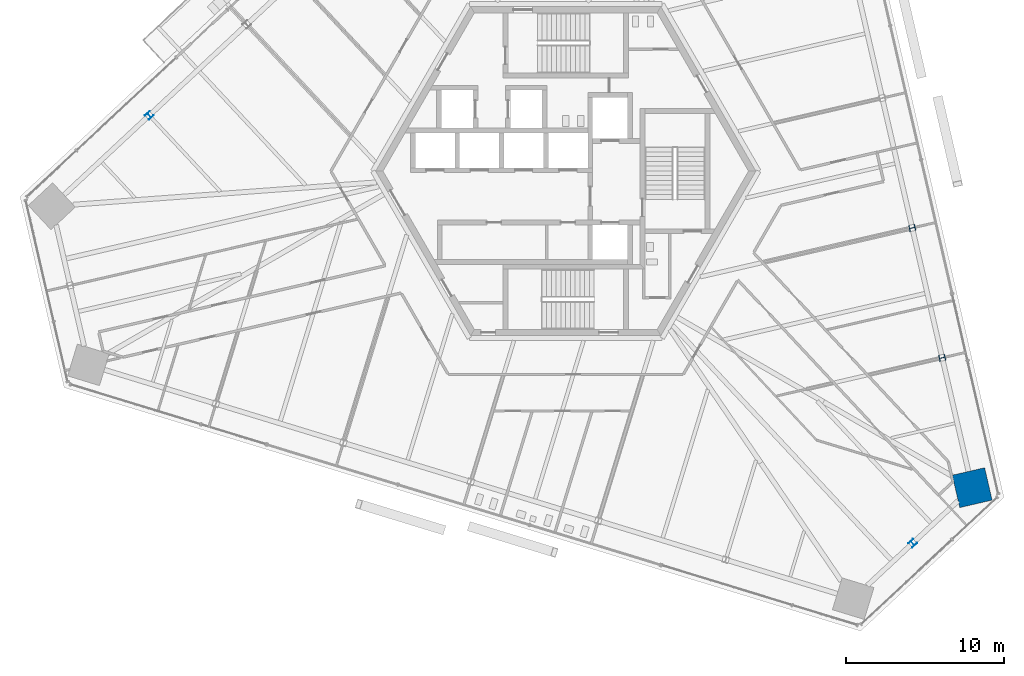
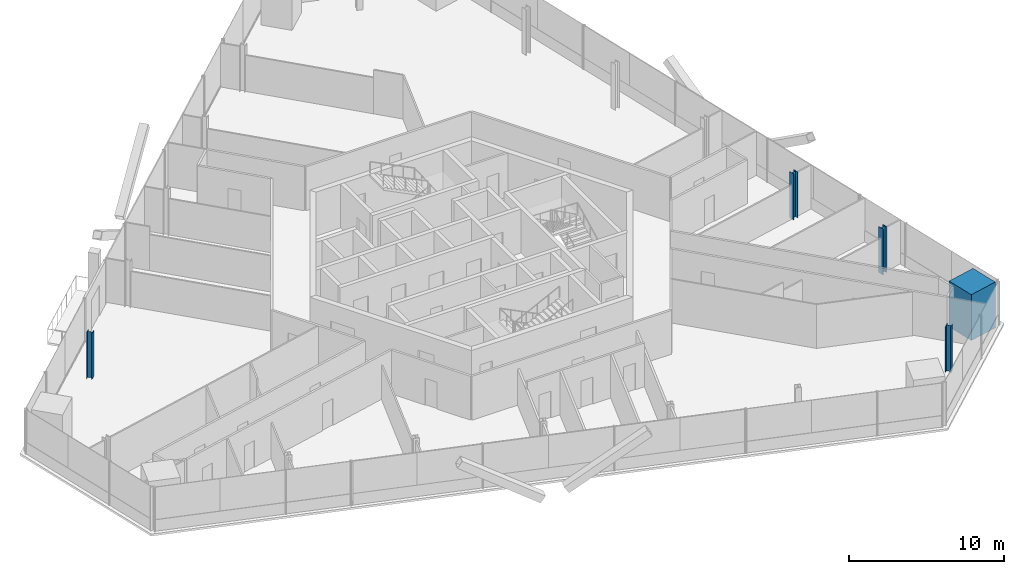
# One storey, part 2 of 20: 5 columns.
"""IFC4 building model written with IfcOpenShell, lengths in metres."""

from ifc_helpers import new_model, si_unit, direction, frame, origin, origin_2d, place, context, subcontext, project, spatial, rectangle, i_section, extrude, source, transform, mapped, material, material_profile, profile_set, type_object, element, save


model = new_model("IFC4")

# Units and contexts
model_context = context("Model", 3, precision=1e-05, world=origin(), true_north=direction((0.0, 1.0)))
body_context = subcontext(model_context, "Body", "Model", "MODEL_VIEW")
ifc_project = project(units=[si_unit("LENGTHUNIT", "METRE"), si_unit("AREAUNIT", "SQUARE_METRE"), si_unit("VOLUMEUNIT", "CUBIC_METRE"), si_unit("PLANEANGLEUNIT", "RADIAN"), si_unit("MASSUNIT", "GRAM", prefix="KILO")], contexts=[model_context])

# Site, building, storey
site_placement = place(None, origin())
site = spatial("IfcSite", under=ifc_project, at=site_placement, CompositionType="ELEMENT")
building_placement = place(site_placement, origin())
building = spatial("IfcBuilding", under=site, at=building_placement, Name="Triune Harvest Tower", CompositionType="ELEMENT")
storey_placement = place(building_placement, frame((0.0, 0.0, 116.300048828125)))
storey = spatial("IfcBuildingStorey", under=building, at=storey_placement, Name="L29", CompositionType="ELEMENT", Elevation=116.300048828125)

# Columns
ifc_material_1 = material(Name="Concrete 70 MPa", Category="concrete")
ifc_material_profile_1 = material_profile(ifc_material_1, rectangle(XDim=2.10009765625, YDim=2.10009765625, at=origin_2d()), Name="Composite 2100x2100")
ifc_profile_set_1 = profile_set([ifc_material_profile_1], Name="Concrete 70 MPa")
column_type_1 = type_object("IfcColumnType", Name="MC-3 Mega column Composite 2100x2100", PredefinedType="COLUMN", material=ifc_profile_set_1)
shared_shape_1 = source(origin(), body_context, "Body", "SweptSolid", [
    extrude(rectangle(XDim=2.10009765625, YDim=2.10009765625, at=origin_2d()), origin(), (0.0, 0.0, 1.0), 3.599853515625),
])
column_placement = place(storey_placement, frame((25.65869140625, -19.983642578125, 0.0), z_axis=(0.0, 0.0, 1.0), x_axis=(-0.22495275494, 0.97436967217, 0.0)))
element("IfcColumn", 1, at=column_placement, inside=storey, type_object=column_type_1, Name="col/L29/M0", PredefinedType="COLUMN", context=body_context, shape_type="MappedRepresentation", body=[
    mapped(shared_shape_1, transform((0.0, 0.0, 0.0), scale=1.0)),
])
ifc_material_2 = material(Name="Steel ASTM A992 Gr 50", Category="steel")
ifc_material_profile_2 = material_profile(ifc_material_2, i_section(OverallWidth=0.396240234375, OverallDepth=0.381103515625, WebThickness=0.01904296875, FlangeThickness=0.0302734375, at=origin_2d()), Name="W14x159")
ifc_profile_set_2 = profile_set([ifc_material_profile_2], Name="Steel ASTM A992 Gr 50")
column_type_2 = type_object("IfcColumnType", Name="PC-3 Perimeter column W14x159", PredefinedType="COLUMN", material=ifc_profile_set_2)
shared_shape_2 = source(origin(), body_context, "Body", "SweptSolid", [
    extrude(i_section(OverallWidth=0.396240234375, OverallDepth=0.381103515625, WebThickness=0.01904296875, FlangeThickness=0.0302734375, at=origin_2d()), origin(), (0.0, 0.0, 1.0), 3.599853515625),
])
for number, where, z_axis, x_axis, name in (
    (2, (23.765869140625, -11.784912109375, 0.0), (0.0, 0.0, 1.0), (-0.22495275494, 0.97436967217, 0.0), "col/L29/P1"),
    (3, (21.872802734375, -3.5859375, 0.0), (0.0, 0.0, 1.0), (-0.22495275494, 0.97436967217, 0.0), "col/L29/P2"),
    (4, (-26.29248046875, 3.51953125, 0.0), (0.0, 0.0, 1.0), (-0.73135489193, -0.681997083608, 0.0), "col/L29/P13"),
    (5, (21.90185546875, -23.48681640625, 0.0), (0.0, 0.0, 1.0), (0.731353701619, 0.681998360062, 0.0), "col/L29/P23"),
):
    element("IfcColumn", number, at=place(storey_placement, frame(where, z_axis=z_axis, x_axis=x_axis)), inside=storey, type_object=column_type_2, Name=name, PredefinedType="COLUMN", context=body_context, shape_type="MappedRepresentation", body=[
        mapped(shared_shape_2, transform((0.0, 0.0, 0.0), scale=1.0)),
    ])

save(model, "model.ifc")
